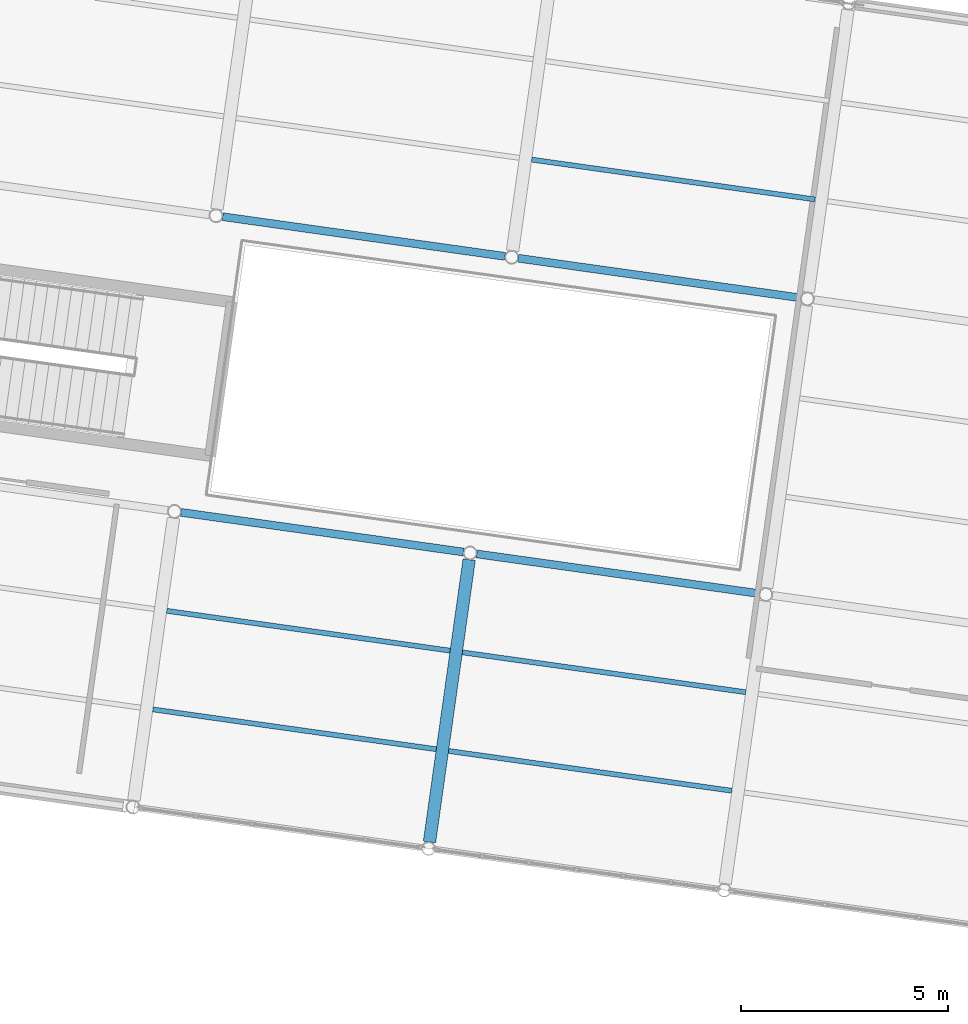
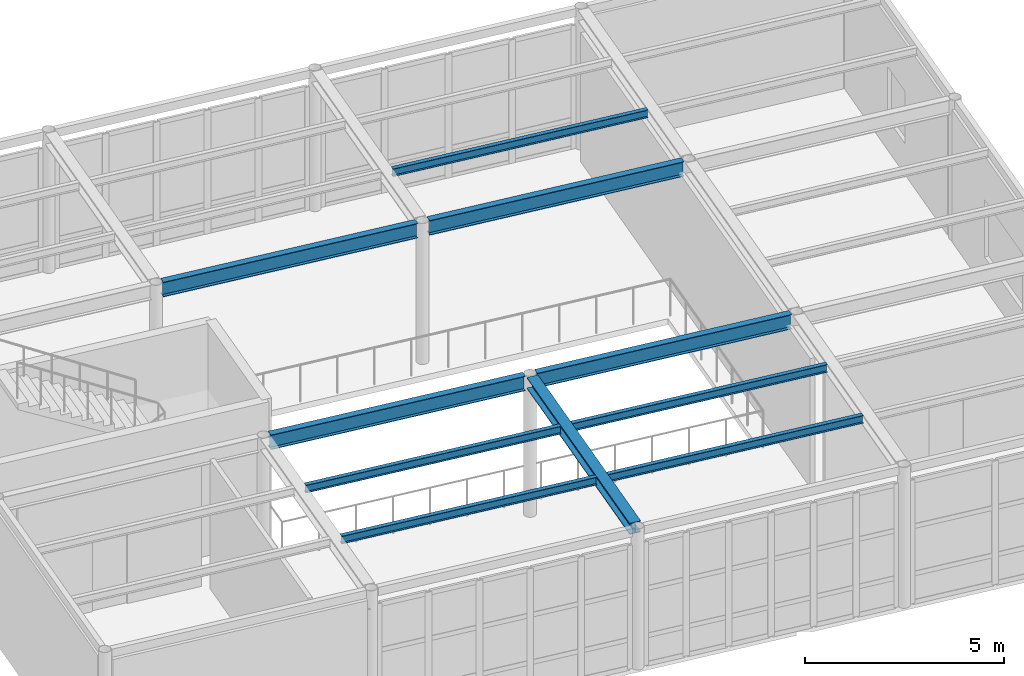
# One storey, part 32 of 80: 10 beams.
"""IFC4 building model written with IfcOpenShell, lengths in metres."""

from ifc_helpers import new_model, si_unit, direction, frame, origin, origin_2d, place, context, subcontext, project, spatial, i_section, extrude, material, material_profile, profile_set, type_object, element, save


model = new_model("IFC4")

# Units and contexts
model_context = context("Model", 3, precision=1e-05, world=origin(), true_north=direction((0.0, 1.0)))
body_context = subcontext(model_context, "Body", "Model", "MODEL_VIEW")
ifc_project = project(units=[si_unit("LENGTHUNIT", "METRE"), si_unit("AREAUNIT", "SQUARE_METRE"), si_unit("VOLUMEUNIT", "CUBIC_METRE"), si_unit("PLANEANGLEUNIT", "RADIAN"), si_unit("MASSUNIT", "GRAM", prefix="KILO")], contexts=[model_context])

# Site, building, storey
site_placement = place(None, origin())
site = spatial("IfcSite", under=ifc_project, at=site_placement, CompositionType="ELEMENT")
building_placement = place(site_placement, origin())
building = spatial("IfcBuilding", under=site, at=building_placement, Name="Kharisveld Research Institute", CompositionType="ELEMENT")
storey_placement = place(building_placement, frame((0.0, 0.0, 5.10009765625)))
storey = spatial("IfcBuildingStorey", under=building, at=storey_placement, Name="L01", CompositionType="ELEMENT", Elevation=5.10009765625)

# Beams
ifc_material_1 = material(Name="Steel S355JR", Category="steel")
ifc_material_profile_1 = material_profile(ifc_material_1, i_section(OverallWidth=0.300048828125, OverallDepth=0.340087890625, WebThickness=0.011962890625, FlangeThickness=0.021484375, at=origin_2d()))
ifc_profile_set_1 = profile_set([ifc_material_profile_1], Name="Steel S355JR")
beam_type_1 = type_object("IfcBeamType", Name="BM_ST_HEA300", PredefinedType="BEAM", material=ifc_profile_set_1)
beam_1_placement = place(storey_placement, frame((89.282470703125, 15.65625, 4.139892578125), z_axis=(0.139144396738, 0.990272102433, 0.0), x_axis=(-0.990272102433, 0.139144396738, 0.0)))
element("IfcBeam", 1, at=beam_1_placement, inside=storey, type_object=beam_type_1, Name="BM:V4:L01:V2_0", PredefinedType="BEAM", context=body_context, shape_type="SweptSolid", body=[
    extrude(i_section(OverallWidth=0.300048828125, OverallDepth=0.340087890625, WebThickness=0.011962890625, FlangeThickness=0.021484375, at=origin_2d()), origin(), (0.0, 0.0, 1.0), 6.876220703125),
])
ifc_material_2 = material(Name="Steel S355JR", Category="steel")
ifc_material_profile_2 = material_profile(ifc_material_2, i_section(OverallWidth=0.18994140625, OverallDepth=0.449951171875, WebThickness=0.009521484375, FlangeThickness=0.0146484375, at=origin_2d()))
ifc_profile_set_2 = profile_set([ifc_material_profile_2], Name="Steel S355JR")
beam_type_2 = type_object("IfcBeamType", Name="BM_ST_IPE450", PredefinedType="BEAM", material=ifc_profile_set_2)
beam_2_placement = place(storey_placement, frame((83.292236328125, 23.605224609375, 4.0849609375), z_axis=(0.990272102433, -0.139144396738, 0.0), x_axis=(0.139144396738, 0.990272102433, 0.0)))
element("IfcBeam", 2, at=beam_2_placement, inside=storey, type_object=beam_type_2, Name="BM:V4:L01:U1_1", PredefinedType="BEAM", context=body_context, shape_type="SweptSolid", body=[
    extrude(i_section(OverallWidth=0.18994140625, OverallDepth=0.449951171875, WebThickness=0.009521484375, FlangeThickness=0.0146484375, at=origin_2d()), origin(), (0.0, 0.0, 1.0), 6.876220703125),
])
for number, where, z_axis, x_axis, name in (
    (3, (90.42236328125, 22.603271484375, 4.0849609375), (0.990266521775, -0.139184107758, 0.0), (0.139184107758, 0.990266521775, 0.0), "BM:V4:L01:U2_1"),
    (4, (84.29443359375, 30.7353515625, 4.0849609375), (0.990266521775, -0.139184107758, 0.0), (0.139184107758, 0.990266521775, 0.0), "BM:V4:L01:U1_2"),
    (5, (91.42431640625, 29.733154296875, 4.0849609375), (0.990271414977, -0.139149289182, 0.0), (0.139149289182, 0.990271414977, 0.0), "BM:V4:L01:U2_2"),
):
    element("IfcBeam", number, at=place(storey_placement, frame(where, z_axis=z_axis, x_axis=x_axis)), inside=storey, type_object=beam_type_2, Name=name, PredefinedType="BEAM", context=body_context, shape_type="SweptSolid", body=[
        extrude(i_section(OverallWidth=0.18994140625, OverallDepth=0.449951171875, WebThickness=0.009521484375, FlangeThickness=0.0146484375, at=origin_2d()), origin(), (0.0, 0.0, 1.0), 6.8759765625),
    ])
ifc_material_3 = material(Name="Steel S355JR", Category="steel")
ifc_material_profile_3 = material_profile(ifc_material_3, i_section(OverallWidth=0.1201171875, OverallDepth=0.239990234375, WebThickness=0.006103515625, FlangeThickness=0.009765625, at=origin_2d()))
ifc_profile_set_3 = profile_set([ifc_material_profile_3], Name="Steel S355JR")
beam_type_3 = type_object("IfcBeamType", Name="JS_ST_IPE240", PredefinedType="JOIST", material=ifc_profile_set_3)
for number, where, z_axis, x_axis, name in (
    (6, (82.612548828125, 18.853759765625, 4.18994140625), (0.990264734633, -0.139196822312, 0.0), (0.139196822312, 0.990264734633, 0.0), "BM:V4:L01:J_1_0_R1"),
    (7, (82.946533203125, 21.23046875, 4.18994140625), (0.990264734633, -0.139196822312, 0.0), (0.139196822312, 0.990264734633, 0.0), "BM:V4:L01:J_1_0_R2"),
    (8, (89.742431640625, 17.8515625, 4.18994140625), (0.990269611306, -0.139162124603, 0.0), (0.139162124603, 0.990269611306, 0.0), "BM:V4:L01:J_2_0_R1"),
    (9, (90.076416015625, 20.228271484375, 4.18994140625), (0.990269611306, -0.139162124603, 0.0), (0.139162124603, 0.990269611306, 0.0), "BM:V4:L01:J_2_0_R2"),
    (10, (91.74658203125, 32.111572265625, 4.18994140625), (0.990264734633, -0.139196822312, 0.0), (0.139196822312, 0.990264734633, 0.0), "BM:V4:L01:J_2_2_R1"),
):
    element("IfcBeam", number, at=place(storey_placement, frame(where, z_axis=z_axis, x_axis=x_axis)), inside=storey, type_object=beam_type_3, Name=name, PredefinedType="JOIST", context=body_context, shape_type="SweptSolid", body=[
        extrude(i_section(OverallWidth=0.1201171875, OverallDepth=0.239990234375, WebThickness=0.006103515625, FlangeThickness=0.009765625, at=origin_2d()), origin(), (0.0, 0.0, 1.0), 6.89990234375),
    ])

save(model, "model.ifc")
